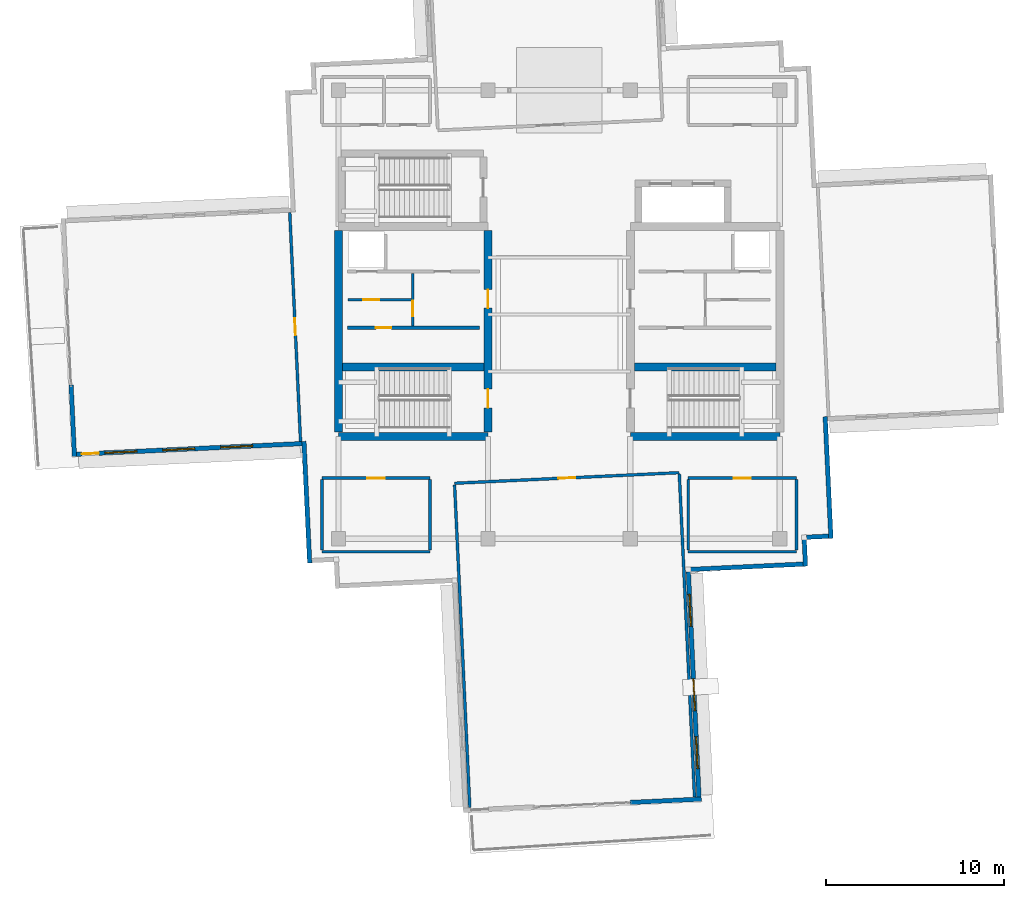
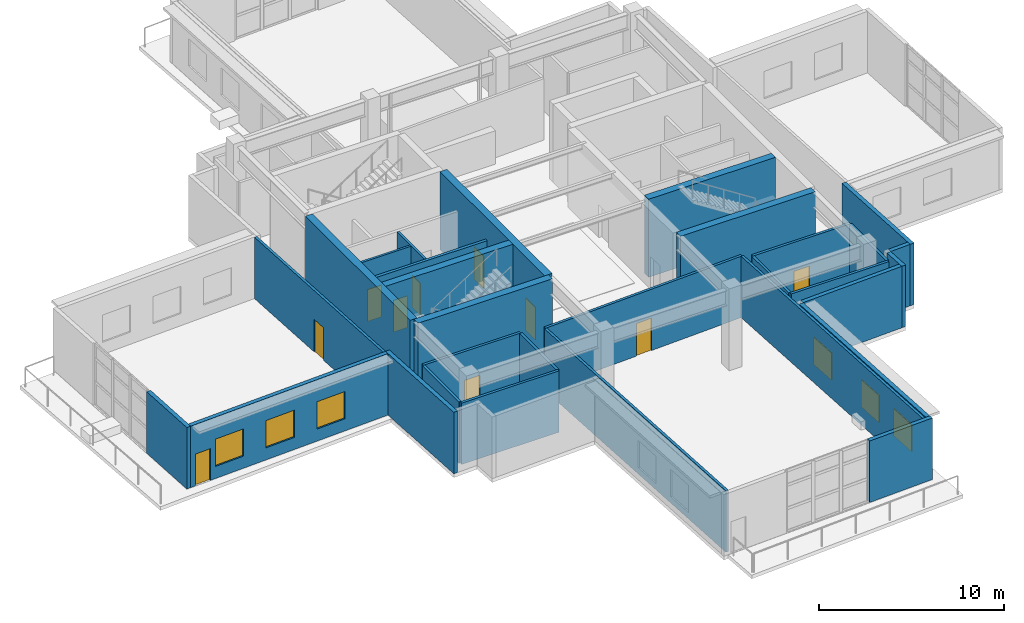
# One storey, part 13 of 22: 30 walls, 10 doors, 6 windows, 16 openings.
"""IFC4 building model written with IfcOpenShell, lengths in metres."""

from ifc_helpers import new_model, si_unit, direction, frame, frame_2d, origin, place, context, subcontext, project, spatial, rectangle, extrude, material, layer, layer_set, type_object, element, fill, save


model = new_model("IFC4")

# Units and contexts
model_context = context("Model", 3, precision=1e-05, world=origin(), true_north=direction((0.0, 1.0)))
body_context = subcontext(model_context, "Body", "Model", "MODEL_VIEW")
ifc_project = project(units=[si_unit("LENGTHUNIT", "METRE"), si_unit("AREAUNIT", "SQUARE_METRE"), si_unit("VOLUMEUNIT", "CUBIC_METRE"), si_unit("PLANEANGLEUNIT", "RADIAN"), si_unit("MASSUNIT", "GRAM", prefix="KILO")], contexts=[model_context])

# Site, building, storey
site_placement = place(None, origin())
site = spatial("IfcSite", under=ifc_project, at=site_placement, CompositionType="ELEMENT")
building_placement = place(site_placement, origin())
building = spatial("IfcBuilding", under=site, at=building_placement, Name="Qingluan Cross Belvedere", CompositionType="ELEMENT")
storey_placement = place(building_placement, frame((0.0, 0.0, 294.0)))
storey = spatial("IfcBuildingStorey", under=building, at=storey_placement, Name="L73", CompositionType="ELEMENT", Elevation=294.0)

# Walls
ifc_material_1 = material(Name="Concrete C50", Category="concrete")
ifc_layer_1 = layer(ifc_material_1, 0.449951171875, Name="CoreShearWall_450")
ifc_layer_set_1 = layer_set([ifc_layer_1], Name="Concrete C50")
wall_type_1 = type_object("IfcWallType", Name="CoreShearWall_450", PredefinedType="SHEAR", material=ifc_layer_set_1)
wall_1_placement = place(storey_placement, frame((-12.39990234375, -6.85009765625, 0.0), z_axis=(0.0, 0.0, 1.0), x_axis=(1.0, 0.0, 0.0)))
element("IfcWall", 1, at=wall_1_placement, inside=storey, type_object=wall_type_1, Name="Split core W shear wall L73-S", PredefinedType="SHEAR", context=body_context, shape_type="SweptSolid", body=[
    extrude(rectangle(XDim=8.39990234375, YDim=0.449951171875, at=frame_2d((4.199951171875, 0.0))), origin(), (0.0, 0.0, 1.0), 5.14990234375),
])
wall_2_placement = place(storey_placement, frame((-12.39990234375, -6.6201171875, 0.0), z_axis=(0.0, 0.0, 1.0), x_axis=(0.0, 1.0, 0.0)))
element("IfcWall", 2, at=wall_2_placement, inside=storey, type_object=wall_type_1, Name="Split core W shear wall L73-W", PredefinedType="SHEAR", context=body_context, shape_type="SweptSolid", body=[
    extrude(rectangle(XDim=11.340087890625, YDim=0.449951171875, at=frame_2d((5.669921875, 0.0))), origin(), (0.0, 0.0, 1.0), 5.14990234375),
])

# Wall, openings, doors
wall_3_placement = place(storey_placement, frame((-4.0, -6.6201171875, 0.0), z_axis=(0.0, 0.0, 1.0), x_axis=(0.0, 1.0, 0.0)))
wall_3 = element("IfcWall", 3, at=wall_3_placement, inside=storey, type_object=wall_type_1, Name="Split core W shear wall L73-E", PredefinedType="SHEAR", context=body_context, shape_type="SweptSolid", body=[
    extrude(rectangle(XDim=11.340087890625, YDim=0.449951171875, at=frame_2d((5.669921875, 0.0))), origin(), (0.0, 0.0, 1.0), 5.14990234375),
])
opening_1_placement = place(wall_3_placement, frame((1.3701171875, 0.0, 0.0)))
opening_1 = element("IfcOpeningElement", 4, at=opening_1_placement, cuts=wall_3, Name="Opening FD-B11", PredefinedType="OPENING", context=body_context, shape_type="SweptSolid", body=[
    extrude(rectangle(XDim=1.050048828125, YDim=2.14990234375, at=frame_2d((0.52490234375, 1.074951171875))), frame((0.0, 0.23486328125, 0.0), z_axis=(0.0, -1.0, 0.0), x_axis=(1.0, 0.0, 0.0)), (0.0, 0.0, 1.0), 0.469970703125),
])
opening_2_placement = place(wall_3_placement, frame((6.969970703125, 0.0, 0.0)))
opening_2 = element("IfcOpeningElement", 5, at=opening_2_placement, cuts=wall_3, Name="Opening FD-B11", PredefinedType="OPENING", context=body_context, shape_type="SweptSolid", body=[
    extrude(rectangle(XDim=1.050048828125, YDim=2.14990234375, at=frame_2d((0.52490234375, 1.074951171875))), frame((0.0, 0.23486328125, 0.0), z_axis=(0.0, -1.0, 0.0), x_axis=(1.0, 0.0, 0.0)), (0.0, 0.0, 1.0), 0.469970703125),
])
ifc_material_2 = material(Name="Steel Class B smoke-seal fire door", Category="steel")
door_type_1 = type_object("IfcDoorType", Name="StairLobbyFireDoor_FDB", OperationType="NOTDEFINED", PredefinedType="DOOR", material=ifc_material_2)
door_1_placement = place(opening_1_placement, origin())
door_1 = element("IfcDoor", 6, at=door_1_placement, inside=storey, type_object=door_type_1, Name="Smoke-proof stair ST1 fire door L73", OperationType="SINGLE_SWING_LEFT", OverallHeight=2.14990234375, OverallWidth=1.050048828125, PredefinedType="DOOR", context=body_context, shape_type="SweptSolid", body=[
    extrude(rectangle(XDim=1.050048828125, YDim=2.14990234375, at=frame_2d((0.52490234375, 1.074951171875))), frame((0.0, 0.02490234375, 0.0), z_axis=(0.0, -1.0, 0.0), x_axis=(1.0, 0.0, 0.0)), (0.0, 0.0, 1.0), 0.050048828125),
])
fill(opening_1, door_1)
door_2_placement = place(opening_2_placement, origin())
door_2 = element("IfcDoor", 7, at=door_2_placement, inside=storey, type_object=door_type_1, Name="Firefighting lobby West fire door L73", OperationType="SINGLE_SWING_LEFT", OverallHeight=2.14990234375, OverallWidth=1.050048828125, PredefinedType="DOOR", context=body_context, shape_type="SweptSolid", body=[
    extrude(rectangle(XDim=1.050048828125, YDim=2.14990234375, at=frame_2d((0.52490234375, 1.074951171875))), frame((0.0, 0.02490234375, 0.0), z_axis=(0.0, -1.0, 0.0), x_axis=(1.0, 0.0, 0.0)), (0.0, 0.0, 1.0), 0.050048828125),
])
fill(opening_2, door_2)

# Walls
wall_4_placement = place(storey_placement, frame((-12.169921875, -2.9599609375, 0.0), z_axis=(0.0, 0.0, 1.0), x_axis=(1.0, 0.0, 0.0)))
element("IfcWall", 8, at=wall_4_placement, inside=storey, type_object=wall_type_1, Name="Split core W shear wall L73-M", PredefinedType="SHEAR", context=body_context, shape_type="SweptSolid", body=[
    extrude(rectangle(XDim=7.93994140625, YDim=0.449951171875, at=frame_2d((3.969970703125, 0.0))), origin(), (0.0, 0.0, 1.0), 5.14990234375),
])
wall_5_placement = place(storey_placement, frame((4.0, -6.85009765625, 0.0), z_axis=(0.0, 0.0, 1.0), x_axis=(1.0, 0.0, 0.0)))
element("IfcWall", 9, at=wall_5_placement, inside=storey, type_object=wall_type_1, Name="Split core E shear wall L73-S", PredefinedType="SHEAR", context=body_context, shape_type="SweptSolid", body=[
    extrude(rectangle(XDim=8.39990234375, YDim=0.449951171875, at=frame_2d((4.199951171875, 0.0))), origin(), (0.0, 0.0, 1.0), 5.14990234375),
])
wall_6_placement = place(storey_placement, frame((4.22998046875, -2.9599609375, 0.0), z_axis=(0.0, 0.0, 1.0), x_axis=(1.0, 0.0, 0.0)))
element("IfcWall", 10, at=wall_6_placement, inside=storey, type_object=wall_type_1, Name="Split core E shear wall L73-M", PredefinedType="SHEAR", context=body_context, shape_type="SweptSolid", body=[
    extrude(rectangle(XDim=7.93994140625, YDim=0.449951171875, at=frame_2d((3.969970703125, 0.0))), origin(), (0.0, 0.0, 1.0), 5.14990234375),
])

# Wall, opening, door
ifc_material_3 = material(Name="Gypsum plasterboard on steel stud acoustic partition", Category="steel")
ifc_layer_2 = layer(ifc_material_3, 0.159912109375, Name="CorridorPartition_160")
ifc_layer_set_2 = layer_set([ifc_layer_2], Name="Gypsum plasterboard on steel stud acoustic partition")
wall_type_2 = type_object("IfcWallType", Name="CorridorPartition_160", PredefinedType="PARTITIONING", material=ifc_layer_set_2)
wall_7_placement = place(storey_placement, frame((-11.85009765625, 0.830078125, 0.0), z_axis=(0.0, 0.0, 1.0), x_axis=(1.0, 0.0, 0.0)))
wall_7 = element("IfcWall", 11, at=wall_7_placement, inside=storey, type_object=wall_type_2, Name="Partition L73:w", PredefinedType="PARTITIONING", context=body_context, shape_type="SweptSolid", body=[
    extrude(rectangle(XDim=3.552001953125, YDim=0.139892578125, at=frame_2d((1.77587890625, 0.0))), origin(), (0.0, 0.0, 1.0), 4.050048828125),
])
opening_3_placement = place(wall_7_placement, frame((0.85009765625, 0.0, 0.0)))
opening_3 = element("IfcOpeningElement", 12, at=opening_3_placement, cuts=wall_7, Name="Opening FD-B10", PredefinedType="OPENING", context=body_context, shape_type="SweptSolid", body=[
    extrude(rectangle(XDim=0.8798828125, YDim=2.10009765625, at=frame_2d((0.43994140625, 1.050048828125))), frame((0.0, 0.079833984375, 0.0), z_axis=(0.0, -1.0, 0.0), x_axis=(1.0, 0.0, 0.0)), (0.0, 0.0, 1.0), 0.159912109375),
])
ifc_material_4 = material(Name="Steel Class B service fire door", Category="steel")
door_type_2 = type_object("IfcDoorType", Name="RiserServiceFireDoor_FDB", OperationType="NOTDEFINED", PredefinedType="DOOR", material=ifc_material_4)
door_3_placement = place(opening_3_placement, origin())
door_3 = element("IfcDoor", 13, at=door_3_placement, inside=storey, type_object=door_type_2, Name="Service closet inner door L73", OperationType="SINGLE_SWING_RIGHT", OverallHeight=2.10009765625, OverallWidth=0.8798828125, PredefinedType="DOOR", context=body_context, shape_type="SweptSolid", body=[
    extrude(rectangle(XDim=0.8798828125, YDim=2.10009765625, at=frame_2d((0.43994140625, 1.050048828125))), frame((0.0, 0.02490234375, 0.0), z_axis=(0.0, -1.0, 0.0), x_axis=(1.0, 0.0, 0.0)), (0.0, 0.0, 1.0), 0.050048828125),
])
fill(opening_3, door_3)

wall_8_placement = place(storey_placement, frame((-5.879638671875, -9.487548828125, 0.0), z_axis=(0.0, 0.0, 1.0), x_axis=(0.998889751946, 0.047109059189, 0.0)))
wall_8 = element("IfcWall", 14, at=wall_8_placement, inside=storey, type_object=wall_type_2, Name="Partition L73:sky_bar_s:N", PredefinedType="PARTITIONING", context=body_context, shape_type="SweptSolid", body=[
    extrude(rectangle(XDim=12.639892578125, YDim=0.159912109375, at=frame_2d((6.31982421875, 0.0))), origin(), (0.0, 0.0, 1.0), 4.050048828125),
])
opening_4_placement = place(wall_8_placement, frame((5.840087890625, 0.0, 0.0)))
opening_4 = element("IfcOpeningElement", 15, at=opening_4_placement, cuts=wall_8, Name="Opening GD-10", PredefinedType="OPENING", context=body_context, shape_type="SweptSolid", body=[
    extrude(rectangle(XDim=0.9599609375, YDim=2.14990234375, at=frame_2d((0.47998046875, 1.074951171875))), frame((0.0, 0.08984375, 0.0), z_axis=(0.0, -1.0, 0.0), x_axis=(1.0, 0.0, 0.0)), (0.0, 0.0, 1.0), 0.179931640625),
])
ifc_material_5 = material(Name="Timber oak fire-rated acoustic guestroom door", Category="wood")
door_type_3 = type_object("IfcDoorType", Name="GuestEntryDoor_FD60", OperationType="NOTDEFINED", PredefinedType="DOOR", material=ifc_material_5)
door_4_placement = place(opening_4_placement, origin())
door_4 = element("IfcDoor", 16, at=door_4_placement, inside=storey, type_object=door_type_3, Name="Belvedere south cocktail hall L73 door", OperationType="SINGLE_SWING_RIGHT", OverallHeight=2.14990234375, OverallWidth=0.9599609375, PredefinedType="DOOR", context=body_context, shape_type="SweptSolid", body=[
    extrude(rectangle(XDim=0.9599609375, YDim=2.14990234375, at=frame_2d((0.47998046875, 1.074951171875))), frame((0.0, 0.02490234375, 0.0), z_axis=(0.0, -1.0, 0.0), x_axis=(1.0, 0.0, 0.0)), (0.0, 0.0, 1.0), 0.050048828125),
])
fill(opening_4, door_4)

# Walls
for number, where, z_axis, x_axis, name in (
    (17, (-5.02001953125, -27.71435546875, 0.0), (0.0, 0.0, 1.0), (-0.047102111975, 0.998890079562, 0.0), "Partition L73:sky_bar_s:W"),
    (18, (7.60595703125, -27.118896484375, 0.0), (0.0, 0.0, 1.0), (-0.047102111975, 0.998890079562, 0.0), "Partition L73:sky_bar_s:E"),
):
    element("IfcWall", number, at=place(storey_placement, frame(where, z_axis=z_axis, x_axis=x_axis)), inside=storey, type_object=wall_type_2, Name=name, PredefinedType="PARTITIONING", context=body_context, shape_type="SweptSolid", body=[
        extrude(rectangle(XDim=18.162109375, YDim=0.159912109375, at=frame_2d((9.0810546875, 0.0))), origin(), (0.0, 0.0, 1.0), 4.050048828125),
    ])

# Wall, opening, door
wall_9_placement = place(storey_placement, frame((-14.5302734375, -7.12939453125, 0.0), z_axis=(0.0, 0.0, 1.0), x_axis=(-0.047106533513, 0.998889871057, 0.0)))
wall_9 = element("IfcWall", 19, at=wall_9_placement, inside=storey, type_object=wall_type_2, Name="Partition L73:bar_pantry:E", PredefinedType="PARTITIONING", context=body_context, shape_type="SweptSolid", body=[
    extrude(rectangle(XDim=12.8740234375, YDim=0.159912109375, at=frame_2d((6.43701171875, 0.0))), origin(), (0.0, 0.0, 1.0), 4.050048828125),
])
opening_5_placement = place(wall_9_placement, frame((5.95703125, 0.0, 0.0)))
opening_5 = element("IfcOpeningElement", 20, at=opening_5_placement, cuts=wall_9, Name="Opening GD-10", PredefinedType="OPENING", context=body_context, shape_type="SweptSolid", body=[
    extrude(rectangle(XDim=0.9599609375, YDim=2.14990234375, at=frame_2d((0.47998046875, 1.074951171875))), frame((0.0, 0.08984375, 0.0), z_axis=(0.0, -1.0, 0.0), x_axis=(1.0, 0.0, 0.0)), (0.0, 0.0, 1.0), 0.179931640625),
])
door_5_placement = place(opening_5_placement, origin())
door_5 = element("IfcDoor", 21, at=door_5_placement, inside=storey, type_object=door_type_3, Name="Crown catering kitchen L73 door", OperationType="SINGLE_SWING_RIGHT", OverallHeight=2.14990234375, OverallWidth=0.9599609375, PredefinedType="DOOR", context=body_context, shape_type="SweptSolid", body=[
    extrude(rectangle(XDim=0.9599609375, YDim=2.14990234375, at=frame_2d((0.47998046875, 1.074951171875))), frame((0.0, 0.02490234375, 0.0), z_axis=(0.0, -1.0, 0.0), x_axis=(1.0, 0.0, 0.0)), (0.0, 0.0, 1.0), 0.050048828125),
])
fill(opening_5, door_5)

# Wall
wall_10_placement = place(storey_placement, frame((-13.330078125, -13.330078125, 0.0), z_axis=(0.0, 0.0, 1.0), x_axis=(1.0, 0.0, 0.0)))
element("IfcWall", 22, at=wall_10_placement, inside=storey, type_object=wall_type_2, Name="Partition L73:crown_sw:S", PredefinedType="PARTITIONING", context=body_context, shape_type="SweptSolid", body=[
    extrude(rectangle(XDim=6.080078125, YDim=0.159912109375, at=frame_2d((3.0400390625, 0.0))), origin(), (0.0, 0.0, 1.0), 4.050048828125),
])

# Wall, opening, door
wall_11_placement = place(storey_placement, frame((-13.330078125, -9.199951171875, 0.0), z_axis=(0.0, 0.0, 1.0), x_axis=(1.0, 0.0, 0.0)))
wall_11 = element("IfcWall", 23, at=wall_11_placement, inside=storey, type_object=wall_type_2, Name="Partition L73:crown_sw:N", PredefinedType="PARTITIONING", context=body_context, shape_type="SweptSolid", body=[
    extrude(rectangle(XDim=6.080078125, YDim=0.159912109375, at=frame_2d((3.0400390625, 0.0))), origin(), (0.0, 0.0, 1.0), 4.050048828125),
])
opening_6_placement = place(wall_11_placement, frame((2.56005859375, 0.0, 0.0)))
opening_6 = element("IfcOpeningElement", 24, at=opening_6_placement, cuts=wall_11, Name="Opening GD-10", PredefinedType="OPENING", context=body_context, shape_type="SweptSolid", body=[
    extrude(rectangle(XDim=0.9599609375, YDim=2.14990234375, at=frame_2d((0.47998046875, 1.074951171875))), frame((0.0, 0.08984375, 0.0), z_axis=(0.0, -1.0, 0.0), x_axis=(1.0, 0.0, 0.0)), (0.0, 0.0, 1.0), 0.179931640625),
])
door_6_placement = place(opening_6_placement, origin())
door_6 = element("IfcDoor", 25, at=door_6_placement, inside=storey, type_object=door_type_3, Name="Panorama reading salon L73 door", OperationType="SINGLE_SWING_RIGHT", OverallHeight=2.14990234375, OverallWidth=0.9599609375, PredefinedType="DOOR", context=body_context, shape_type="SweptSolid", body=[
    extrude(rectangle(XDim=0.9599609375, YDim=2.14990234375, at=frame_2d((0.47998046875, 1.074951171875))), frame((0.0, 0.02490234375, 0.0), z_axis=(0.0, -1.0, 0.0), x_axis=(1.0, 0.0, 0.0)), (0.0, 0.0, 1.0), 0.050048828125),
])
fill(opening_6, door_6)

# Walls
for number, where, z_axis, x_axis, name in (
    (26, (-13.330078125, -13.2451171875, 0.0), (0.0, 0.0, 1.0), (0.0, 1.0, 0.0), "Partition L73:crown_sw:W"),
    (27, (-7.25, -13.2451171875, 0.0), (0.0, 0.0, 1.0), (0.0, 1.0, 0.0), "Partition L73:crown_sw:E"),
):
    element("IfcWall", number, at=place(storey_placement, frame(where, z_axis=z_axis, x_axis=x_axis)), inside=storey, type_object=wall_type_2, Name=name, PredefinedType="PARTITIONING", context=body_context, shape_type="SweptSolid", body=[
        extrude(rectangle(XDim=3.960205078125, YDim=0.159912109375, at=frame_2d((1.97998046875, 0.0))), origin(), (0.0, 0.0, 1.0), 4.050048828125),
    ])
wall_12_placement = place(storey_placement, frame((7.25, -13.330078125, 0.0), z_axis=(0.0, 0.0, 1.0), x_axis=(1.0, 0.0, 0.0)))
element("IfcWall", 28, at=wall_12_placement, inside=storey, type_object=wall_type_2, Name="Partition L73:crown_se:S", PredefinedType="PARTITIONING", context=body_context, shape_type="SweptSolid", body=[
    extrude(rectangle(XDim=6.080078125, YDim=0.159912109375, at=frame_2d((3.0400390625, 0.0))), origin(), (0.0, 0.0, 1.0), 4.050048828125),
])

# Wall, opening, door
wall_13_placement = place(storey_placement, frame((7.25, -9.199951171875, 0.0), z_axis=(0.0, 0.0, 1.0), x_axis=(1.0, 0.0, 0.0)))
wall_13 = element("IfcWall", 29, at=wall_13_placement, inside=storey, type_object=wall_type_2, Name="Partition L73:crown_se:N", PredefinedType="PARTITIONING", context=body_context, shape_type="SweptSolid", body=[
    extrude(rectangle(XDim=6.080078125, YDim=0.159912109375, at=frame_2d((3.0400390625, 0.0))), origin(), (0.0, 0.0, 1.0), 4.050048828125),
])
opening_7_placement = place(wall_13_placement, frame((2.56005859375, 0.0, 0.0)))
opening_7 = element("IfcOpeningElement", 30, at=opening_7_placement, cuts=wall_13, Name="Opening GD-10", PredefinedType="OPENING", context=body_context, shape_type="SweptSolid", body=[
    extrude(rectangle(XDim=0.9599609375, YDim=2.14990234375, at=frame_2d((0.47998046875, 1.074951171875))), frame((0.0, 0.08984375, 0.0), z_axis=(0.0, -1.0, 0.0), x_axis=(1.0, 0.0, 0.0)), (0.0, 0.0, 1.0), 0.179931640625),
])
door_7_placement = place(opening_7_placement, origin())
door_7 = element("IfcDoor", 31, at=door_7_placement, inside=storey, type_object=door_type_3, Name="VIP belvedere parlor L73 door", OperationType="SINGLE_SWING_LEFT", OverallHeight=2.14990234375, OverallWidth=0.9599609375, PredefinedType="DOOR", context=body_context, shape_type="SweptSolid", body=[
    extrude(rectangle(XDim=0.9599609375, YDim=2.14990234375, at=frame_2d((0.47998046875, 1.074951171875))), frame((0.0, 0.02490234375, 0.0), z_axis=(0.0, -1.0, 0.0), x_axis=(1.0, 0.0, 0.0)), (0.0, 0.0, 1.0), 0.050048828125),
])
fill(opening_7, door_7)

# Walls
for number, where, z_axis, x_axis, name in (
    (32, (7.25, -13.2451171875, 0.0), (0.0, 0.0, 1.0), (0.0, 1.0, 0.0), "Partition L73:crown_se:W"),
    (33, (13.330078125, -13.2451171875, 0.0), (0.0, 0.0, 1.0), (0.0, 1.0, 0.0), "Partition L73:crown_se:E"),
):
    element("IfcWall", number, at=place(storey_placement, frame(where, z_axis=z_axis, x_axis=x_axis)), inside=storey, type_object=wall_type_2, Name=name, PredefinedType="PARTITIONING", context=body_context, shape_type="SweptSolid", body=[
        extrude(rectangle(XDim=3.960205078125, YDim=0.159912109375, at=frame_2d((1.97998046875, 0.0))), origin(), (0.0, 0.0, 1.0), 4.050048828125),
    ])

# Wall, openings, windows, door
ifc_material_6 = material(Name="Precast concrete C45", Category="concrete")
ifc_layer_3 = layer(ifc_material_6, 0.25, Name="PrecastCrownWall_250")
ifc_layer_set_3 = layer_set([ifc_layer_3], Name="Precast concrete C45")
wall_type_3 = type_object("IfcWallType", Name="PrecastCrownWall_250", PredefinedType="STANDARD", material=ifc_layer_set_3)
wall_14_placement = place(storey_placement, frame((-27.114990234375, -7.85595703125, 0.0), z_axis=(0.0, 0.0, 1.0), x_axis=(0.998890477995, 0.047093661688, 0.0)))
wall_14 = element("IfcWall", 34, at=wall_14_placement, inside=storey, type_object=wall_type_3, Name="Facade wall L73-WB", PredefinedType="STANDARD", context=body_context, shape_type="SweptSolid", body=[
    extrude(rectangle(XDim=12.670166015625, YDim=0.25, at=frame_2d((6.3349609375, 0.0))), origin(), (0.0, 0.0, 1.0), 4.06005859375),
])
opening_8_placement = place(wall_14_placement, frame((1.60009765625, 0.0, 0.800048828125)))
opening_8 = element("IfcOpeningElement", 35, at=opening_8_placement, cuts=wall_14, Name="Opening W-05", PredefinedType="OPENING", context=body_context, shape_type="SweptSolid", body=[
    extrude(rectangle(XDim=1.800048828125, YDim=1.800048828125, at=frame_2d((0.89990234375, 0.89990234375))), frame((0.0, 0.135009765625, 0.0), z_axis=(0.0, -1.0, 0.0), x_axis=(1.0, 0.0, 0.0)), (0.0, 0.0, 1.0), 0.27001953125),
])
opening_9_placement = place(wall_14_placement, frame((4.85009765625, 0.0, 0.800048828125)))
opening_9 = element("IfcOpeningElement", 36, at=opening_9_placement, cuts=wall_14, Name="Opening W-05", PredefinedType="OPENING", context=body_context, shape_type="SweptSolid", body=[
    extrude(rectangle(XDim=1.800048828125, YDim=1.800048828125, at=frame_2d((0.89990234375, 0.89990234375))), frame((0.0, 0.135009765625, 0.0), z_axis=(0.0, -1.0, 0.0), x_axis=(1.0, 0.0, 0.0)), (0.0, 0.0, 1.0), 0.27001953125),
])
opening_10_placement = place(wall_14_placement, frame((8.10009765625, 0.0, 0.800048828125)))
opening_10 = element("IfcOpeningElement", 37, at=opening_10_placement, cuts=wall_14, Name="Opening W-05", PredefinedType="OPENING", context=body_context, shape_type="SweptSolid", body=[
    extrude(rectangle(XDim=1.800048828125, YDim=1.800048828125, at=frame_2d((0.89990234375, 0.89990234375))), frame((0.0, 0.135009765625, 0.0), z_axis=(0.0, -1.0, 0.0), x_axis=(1.0, 0.0, 0.0)), (0.0, 0.0, 1.0), 0.27001953125),
])
opening_11_placement = place(wall_14_placement, frame((0.300048828125, 0.0, 0.0)))
opening_11 = element("IfcOpeningElement", 38, at=opening_11_placement, cuts=wall_14, Name="Opening TD-10", PredefinedType="OPENING", context=body_context, shape_type="SweptSolid", body=[
    extrude(rectangle(XDim=0.9599609375, YDim=2.10009765625, at=frame_2d((0.47998046875, 1.050048828125))), frame((0.0, 0.135009765625, 0.0), z_axis=(0.0, -1.0, 0.0), x_axis=(1.0, 0.0, 0.0)), (0.0, 0.0, 1.0), 0.27001953125),
])
ifc_material_7 = material(Name="Thermally broken triple Low-E glass in aluminium frame", Category="aluminium")
window_type = type_object("IfcWindowType", Name="CrownBelvedereWin_1800x1800", PartitioningType="SINGLE_PANEL", PredefinedType="WINDOW", material=ifc_material_7)
window_1_placement = place(opening_8_placement, origin())
window_1 = element("IfcWindow", 39, at=window_1_placement, inside=storey, type_object=window_type, Name="Ribbon window L73-WB-1", OverallHeight=1.800048828125, OverallWidth=1.800048828125, PartitioningType="SINGLE_PANEL", PredefinedType="WINDOW", context=body_context, shape_type="SweptSolid", body=[
    extrude(rectangle(XDim=1.800048828125, YDim=1.800048828125, at=frame_2d((0.89990234375, 0.89990234375))), frame((0.0, 0.030029296875, 0.0), z_axis=(0.0, -1.0, 0.0), x_axis=(1.0, 0.0, 0.0)), (0.0, 0.0, 1.0), 0.06005859375),
])
fill(opening_8, window_1)
window_2_placement = place(opening_9_placement, origin())
window_2 = element("IfcWindow", 40, at=window_2_placement, inside=storey, type_object=window_type, Name="Ribbon window L73-WB-2", OverallHeight=1.800048828125, OverallWidth=1.800048828125, PartitioningType="SINGLE_PANEL", PredefinedType="WINDOW", context=body_context, shape_type="SweptSolid", body=[
    extrude(rectangle(XDim=1.800048828125, YDim=1.800048828125, at=frame_2d((0.89990234375, 0.89990234375))), frame((0.0, 0.030029296875, 0.0), z_axis=(0.0, -1.0, 0.0), x_axis=(1.0, 0.0, 0.0)), (0.0, 0.0, 1.0), 0.06005859375),
])
fill(opening_9, window_2)
window_3_placement = place(opening_10_placement, origin())
window_3 = element("IfcWindow", 41, at=window_3_placement, inside=storey, type_object=window_type, Name="Ribbon window L73-WB-3", OverallHeight=1.800048828125, OverallWidth=1.800048828125, PartitioningType="SINGLE_PANEL", PredefinedType="WINDOW", context=body_context, shape_type="SweptSolid", body=[
    extrude(rectangle(XDim=1.800048828125, YDim=1.800048828125, at=frame_2d((0.89990234375, 0.89990234375))), frame((0.0, 0.030029296875, 0.0), z_axis=(0.0, -1.0, 0.0), x_axis=(1.0, 0.0, 0.0)), (0.0, 0.0, 1.0), 0.06005859375),
])
fill(opening_10, window_3)
ifc_material_8 = material(Name="Thermally broken aluminium and Low-E glass", Category="aluminium")
door_type_4 = type_object("IfcDoorType", Name="SetbackTerraceDoor_096", OperationType="NOTDEFINED", PredefinedType="DOOR", material=ifc_material_8)
door_8_placement = place(opening_11_placement, origin())
door_8 = element("IfcDoor", 42, at=door_8_placement, inside=storey, type_object=door_type_4, Name="Outdoor terrace access door L73-set2", OperationType="SINGLE_SWING_RIGHT", OverallHeight=2.10009765625, OverallWidth=0.9599609375, PredefinedType="DOOR", context=body_context, shape_type="SweptSolid", body=[
    extrude(rectangle(XDim=0.9599609375, YDim=2.10009765625, at=frame_2d((0.47998046875, 1.050048828125))), frame((0.0, 0.02490234375, 0.0), z_axis=(0.0, -1.0, 0.0), x_axis=(1.0, 0.0, 0.0)), (0.0, 0.0, 1.0), 0.050048828125),
])
fill(opening_11, door_8)

# Wall
wall_15_placement = place(storey_placement, frame((-27.423095703125, -3.97412109375, 0.0), z_axis=(0.0, 0.0, 1.0), x_axis=(0.047100260363, -0.998890166872, 0.0)))
element("IfcWall", 43, at=wall_15_placement, inside=storey, type_object=wall_type_3, Name="Terrace portal jamb wall L73-W2", PredefinedType="STANDARD", context=body_context, shape_type="SweptSolid", body=[
    extrude(rectangle(XDim=4.01708984375, YDim=0.25, at=frame_2d((2.008544921875, 0.0))), origin(), (0.0, 0.0, 1.0), 4.06005859375),
])

# Wall, openings, windows
wall_16_placement = place(storey_placement, frame((7.85595703125, -27.114990234375, 0.0), z_axis=(0.0, 0.0, 1.0), x_axis=(-0.047093661688, 0.998890477995, 0.0)))
wall_16 = element("IfcWall", 44, at=wall_16_placement, inside=storey, type_object=wall_type_3, Name="Facade wall L73-SB", PredefinedType="STANDARD", context=body_context, shape_type="SweptSolid", body=[
    extrude(rectangle(XDim=12.670166015625, YDim=0.25, at=frame_2d((6.3349609375, 0.0))), origin(), (0.0, 0.0, 1.0), 4.06005859375),
])
opening_12_placement = place(wall_16_placement, frame((1.60009765625, 0.0, 0.800048828125)))
opening_12 = element("IfcOpeningElement", 45, at=opening_12_placement, cuts=wall_16, Name="Opening W-05", PredefinedType="OPENING", context=body_context, shape_type="SweptSolid", body=[
    extrude(rectangle(XDim=1.800048828125, YDim=1.800048828125, at=frame_2d((0.89990234375, 0.89990234375))), frame((0.0, 0.135009765625, 0.0), z_axis=(0.0, -1.0, 0.0), x_axis=(1.0, 0.0, 0.0)), (0.0, 0.0, 1.0), 0.27001953125),
])
opening_13_placement = place(wall_16_placement, frame((4.85009765625, 0.0, 0.800048828125)))
opening_13 = element("IfcOpeningElement", 46, at=opening_13_placement, cuts=wall_16, Name="Opening W-05", PredefinedType="OPENING", context=body_context, shape_type="SweptSolid", body=[
    extrude(rectangle(XDim=1.800048828125, YDim=1.800048828125, at=frame_2d((0.89990234375, 0.89990234375))), frame((0.0, 0.135009765625, 0.0), z_axis=(0.0, -1.0, 0.0), x_axis=(1.0, 0.0, 0.0)), (0.0, 0.0, 1.0), 0.27001953125),
])
opening_14_placement = place(wall_16_placement, frame((9.60009765625, 0.0, 0.800048828125)))
opening_14 = element("IfcOpeningElement", 47, at=opening_14_placement, cuts=wall_16, Name="Opening W-05", PredefinedType="OPENING", context=body_context, shape_type="SweptSolid", body=[
    extrude(rectangle(XDim=1.800048828125, YDim=1.800048828125, at=frame_2d((0.89990234375, 0.89990234375))), frame((0.0, 0.135009765625, 0.0), z_axis=(0.0, -1.0, 0.0), x_axis=(1.0, 0.0, 0.0)), (0.0, 0.0, 1.0), 0.27001953125),
])
window_4_placement = place(opening_12_placement, origin())
window_4 = element("IfcWindow", 48, at=window_4_placement, inside=storey, type_object=window_type, Name="Ribbon window L73-SB-1", OverallHeight=1.800048828125, OverallWidth=1.800048828125, PartitioningType="SINGLE_PANEL", PredefinedType="WINDOW", context=body_context, shape_type="SweptSolid", body=[
    extrude(rectangle(XDim=1.800048828125, YDim=1.800048828125, at=frame_2d((0.89990234375, 0.89990234375))), frame((0.0, 0.030029296875, 0.0), z_axis=(0.0, -1.0, 0.0), x_axis=(1.0, 0.0, 0.0)), (0.0, 0.0, 1.0), 0.06005859375),
])
fill(opening_12, window_4)
window_5_placement = place(opening_13_placement, origin())
window_5 = element("IfcWindow", 49, at=window_5_placement, inside=storey, type_object=window_type, Name="Ribbon window L73-SB-2", OverallHeight=1.800048828125, OverallWidth=1.800048828125, PartitioningType="SINGLE_PANEL", PredefinedType="WINDOW", context=body_context, shape_type="SweptSolid", body=[
    extrude(rectangle(XDim=1.800048828125, YDim=1.800048828125, at=frame_2d((0.89990234375, 0.89990234375))), frame((0.0, 0.030029296875, 0.0), z_axis=(0.0, -1.0, 0.0), x_axis=(1.0, 0.0, 0.0)), (0.0, 0.0, 1.0), 0.06005859375),
])
fill(opening_13, window_5)
window_6_placement = place(opening_14_placement, origin())
window_6 = element("IfcWindow", 50, at=window_6_placement, inside=storey, type_object=window_type, Name="Ribbon window L73-SB-3", OverallHeight=1.800048828125, OverallWidth=1.800048828125, PartitioningType="SINGLE_PANEL", PredefinedType="WINDOW", context=body_context, shape_type="SweptSolid", body=[
    extrude(rectangle(XDim=1.800048828125, YDim=1.800048828125, at=frame_2d((0.89990234375, 0.89990234375))), frame((0.0, 0.030029296875, 0.0), z_axis=(0.0, -1.0, 0.0), x_axis=(1.0, 0.0, 0.0)), (0.0, 0.0, 1.0), 0.06005859375),
])
fill(opening_14, window_6)

# Walls
wall_17_placement = place(storey_placement, frame((3.97412109375, -27.423095703125, 0.0), z_axis=(0.0, 0.0, 1.0), x_axis=(0.998890166872, 0.047100260363, 0.0)))
element("IfcWall", 51, at=wall_17_placement, inside=storey, type_object=wall_type_3, Name="Terrace portal jamb wall L73-S2", PredefinedType="STANDARD", context=body_context, shape_type="SweptSolid", body=[
    extrude(rectangle(XDim=4.01708984375, YDim=0.25, at=frame_2d((2.008544921875, 0.0))), origin(), (0.0, 0.0, 1.0), 4.06005859375),
])
for number, where, z_axis, x_axis, name in (
    (52, (-14.340087890625, -7.12841796875, 0.0), (0.0, 0.0, 1.0), (0.047115742593, -0.998889436725, 0.0), "Corner wall L73-SW1"),
    (53, (14.947265625, -5.747314453125, 0.0), (0.0, 0.0, 1.0), (0.047115742593, -0.998889436725, 0.0), "Corner wall L73-SE1"),
):
    element("IfcWall", number, at=place(storey_placement, frame(where, z_axis=z_axis, x_axis=x_axis)), inside=storey, type_object=wall_type_3, Name=name, PredefinedType="STANDARD", context=body_context, shape_type="SweptSolid", body=[
        extrude(rectangle(XDim=6.83984375, YDim=0.25, at=frame_2d((3.419921875, 0.0))), origin(), (0.0, 0.0, 1.0), 4.06005859375),
    ])
wall_18_placement = place(storey_placement, frame((15.138916015625, -12.460693359375, 0.0), z_axis=(0.0, 0.0, 1.0), x_axis=(-0.998891870632, -0.047064113553, 0.0)))
element("IfcWall", 54, at=wall_18_placement, inside=storey, type_object=wall_type_3, Name="Corner wall L73-SE2", PredefinedType="STANDARD", context=body_context, shape_type="SweptSolid", body=[
    extrude(rectangle(XDim=1.250244140625, YDim=0.25, at=frame_2d((0.625, 0.0))), origin(), (0.0, 0.0, 1.0), 4.06005859375),
])
wall_19_placement = place(storey_placement, frame((13.771240234375, -12.650390625, 0.0), z_axis=(0.0, 0.0, 1.0), x_axis=(0.047039284441, -0.99889304018, 0.0)))
element("IfcWall", 55, at=wall_19_placement, inside=storey, type_object=wall_type_3, Name="Corner wall L73-SE3", PredefinedType="STANDARD", context=body_context, shape_type="SweptSolid", body=[
    extrude(rectangle(XDim=1.5, YDim=0.25, at=frame_2d((0.75, 0.0))), origin(), (0.0, 0.0, 1.0), 4.06005859375),
])
wall_20_placement = place(storey_placement, frame((13.711181640625, -14.02978515625, 0.0), z_axis=(0.0, 0.0, 1.0), x_axis=(-0.998890417296, -0.047094949127, 0.0)))
element("IfcWall", 56, at=wall_20_placement, inside=storey, type_object=wall_type_3, Name="Corner wall L73-SE4", PredefinedType="STANDARD", context=body_context, shape_type="SweptSolid", body=[
    extrude(rectangle(XDim=6.340087890625, YDim=0.25, at=frame_2d((3.169921875, 0.0))), origin(), (0.0, 0.0, 1.0), 4.06005859375),
])

# Wall, opening, door
ifc_material_9 = material(Name="Concrete C40", Category="concrete")
ifc_layer_4 = layer(ifc_material_9, 0.219970703125, Name="ShaftEnclosureWall_250")
ifc_layer_set_4 = layer_set([ifc_layer_4], Name="Concrete C40")
wall_type_4 = type_object("IfcWallType", Name="ShaftEnclosureWall_250", PredefinedType="SOLIDWALL", material=ifc_layer_set_4)
wall_21_placement = place(storey_placement, frame((-11.89990234375, -0.75, 0.0), z_axis=(0.0, 0.0, 1.0), x_axis=(1.0, 0.0, 0.0)))
wall_21 = element("IfcWall", 57, at=wall_21_placement, inside=storey, type_object=wall_type_4, Name="Core-W mid hoistway wall L73", PredefinedType="SOLIDWALL", context=body_context, shape_type="SweptSolid", body=[
    extrude(rectangle(XDim=7.419921875, YDim=0.179931640625, at=frame_2d((3.7099609375, 0.0))), origin(), (0.0, 0.0, 1.0), 4.050048828125),
])
opening_15_placement = place(wall_21_placement, frame((1.60009765625, 0.0, 0.0)))
opening_15 = element("IfcOpeningElement", 58, at=opening_15_placement, cuts=wall_21, Name="Opening FD-B10", PredefinedType="OPENING", context=body_context, shape_type="SweptSolid", body=[
    extrude(rectangle(XDim=0.8798828125, YDim=2.10009765625, at=frame_2d((0.43994140625, 1.050048828125))), frame((0.0, 0.099853515625, 0.0), z_axis=(0.0, -1.0, 0.0), x_axis=(1.0, 0.0, 0.0)), (0.0, 0.0, 1.0), 0.199951171875),
])
door_9_placement = place(opening_15_placement, origin())
door_9 = element("IfcDoor", 59, at=door_9_placement, inside=storey, type_object=door_type_2, Name="Upper-zone electrical room door L73", OperationType="SINGLE_SWING_RIGHT", OverallHeight=2.10009765625, OverallWidth=0.8798828125, PredefinedType="DOOR", context=body_context, shape_type="SweptSolid", body=[
    extrude(rectangle(XDim=0.8798828125, YDim=2.10009765625, at=frame_2d((0.43994140625, 1.050048828125))), frame((0.0, 0.02490234375, 0.0), z_axis=(0.0, -1.0, 0.0), x_axis=(1.0, 0.0, 0.0)), (0.0, 0.0, 1.0), 0.050048828125),
])
fill(opening_15, door_9)

wall_22_placement = place(storey_placement, frame((-8.219970703125, -0.64990234375, 0.0), z_axis=(0.0, 0.0, 1.0), x_axis=(0.0, 1.0, 0.0)))
wall_22 = element("IfcWall", 60, at=wall_22_placement, inside=storey, type_object=wall_type_4, Name="Core-W service corridor wall L73", PredefinedType="SOLIDWALL", context=body_context, shape_type="SweptSolid", body=[
    extrude(rectangle(XDim=2.9599609375, YDim=0.139892578125, at=frame_2d((1.47998046875, 0.0))), origin(), (0.0, 0.0, 1.0), 4.050048828125),
])
opening_16_placement = place(wall_22_placement, frame((0.550048828125, 0.0, 0.0)))
opening_16 = element("IfcOpeningElement", 61, at=opening_16_placement, cuts=wall_22, Name="Opening FD-B10", PredefinedType="OPENING", context=body_context, shape_type="SweptSolid", body=[
    extrude(rectangle(XDim=0.8798828125, YDim=2.10009765625, at=frame_2d((0.43994140625, 1.050048828125))), frame((0.0, 0.079833984375, 0.0), z_axis=(0.0, -1.0, 0.0), x_axis=(1.0, 0.0, 0.0)), (0.0, 0.0, 1.0), 0.159912109375),
])
door_10_placement = place(opening_16_placement, origin())
door_10 = element("IfcDoor", 62, at=door_10_placement, inside=storey, type_object=door_type_2, Name="Core-W service room door L73", OperationType="SINGLE_SWING_RIGHT", OverallHeight=2.10009765625, OverallWidth=0.8798828125, PredefinedType="DOOR", context=body_context, shape_type="SweptSolid", body=[
    extrude(rectangle(XDim=0.8798828125, YDim=2.10009765625, at=frame_2d((0.43994140625, 1.050048828125))), frame((0.0, 0.02490234375, 0.0), z_axis=(0.0, -1.0, 0.0), x_axis=(1.0, 0.0, 0.0)), (0.0, 0.0, 1.0), 0.050048828125),
])
fill(opening_16, door_10)

save(model, "model.ifc")
